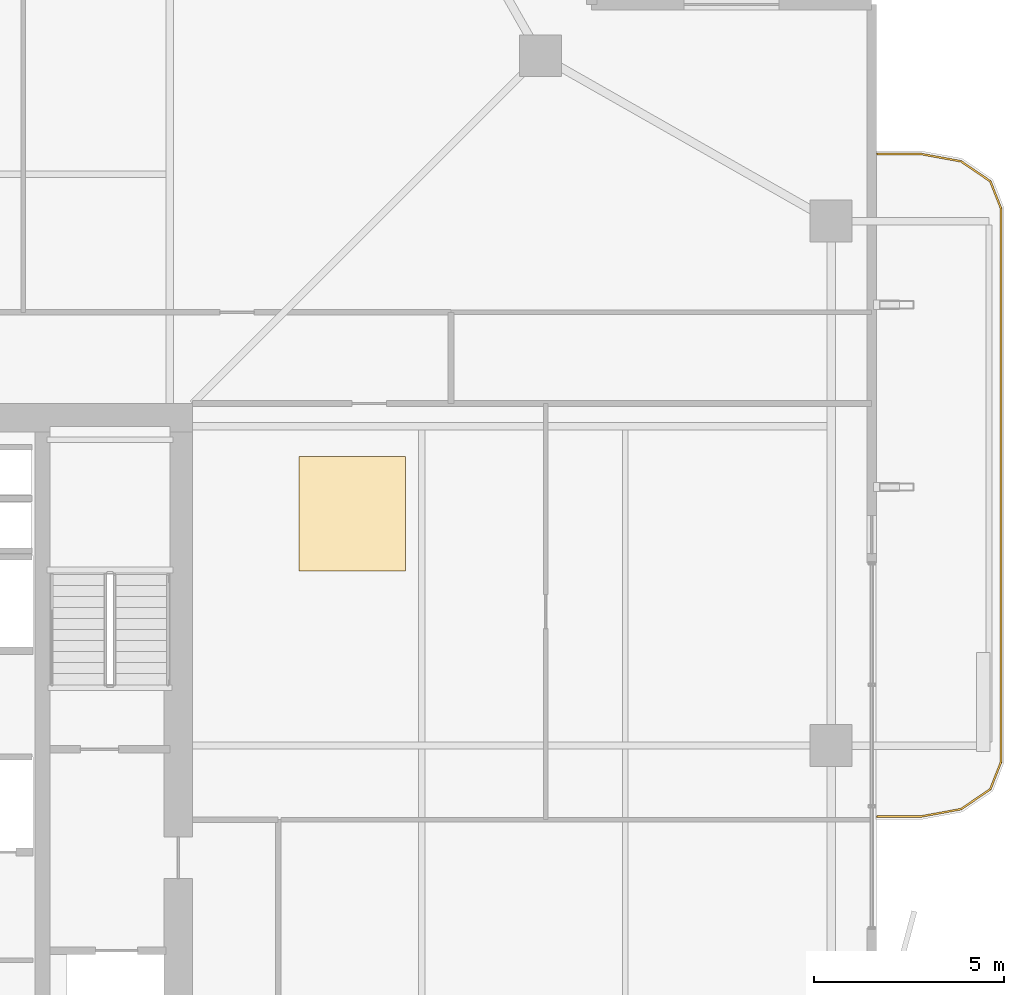
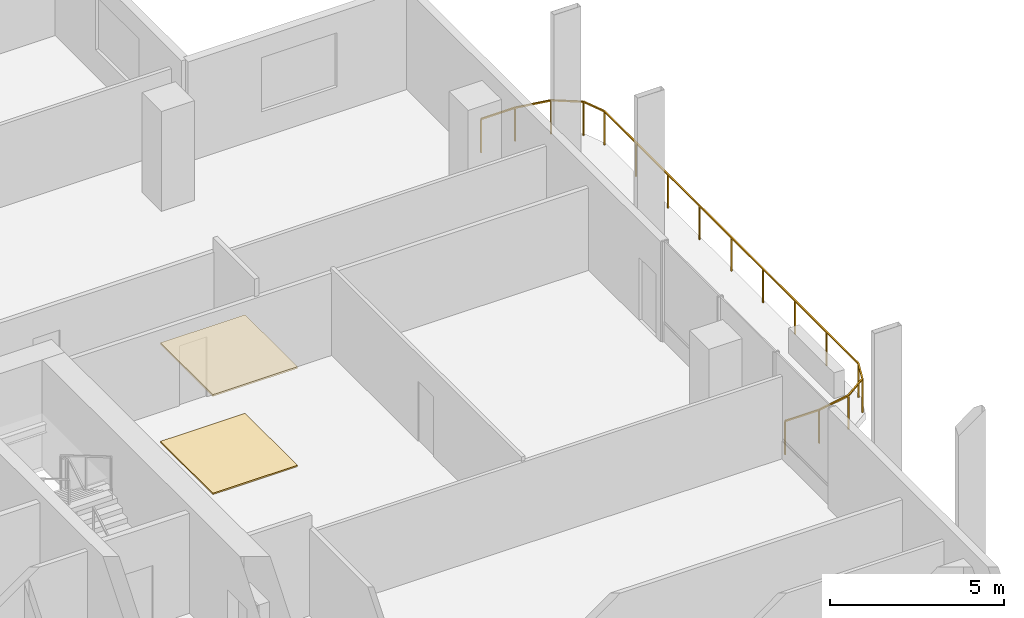
# One storey, part 24 of 24: 2 coverings, 1 railing.
"""IFC4 building model written with IfcOpenShell, lengths in metres."""

import ifcopenshell
import ifcopenshell.guid

model = None  # the IFC model being written
_history = None  # IfcOwnerHistory: only IFC2X3 demands one
_inside = {}  # id of a spatial element -> (the spatial element, [elements in it])
_under = {}  # id of a project, library or spatial element -> (it, [spatial elements below it])
_declared = {}  # id of a project -> (the project, [libraries it declares])
_typed = {}  # id of a type object -> (the type object, [elements of that type])
_made_of = {}  # id of a material, layer set ... -> (it, [elements and type objects made of it])


def new_model(schema):
    """Start an empty IFC model of exactly this schema.

    Asked for "IFC4X3", IfcOpenShell would pick the latest addendum, in which some entities
    have other attributes; the version numbers below select the first issue.
    IFC2X3 requires an IfcOwnerHistory on every rooted entity: one is made here for all.
    """
    global model, _history
    if schema == "IFC4X3":
        model = ifcopenshell.file(schema_version=(4, 3, 0, 0))
    else:
        model = ifcopenshell.file(schema=schema)
    _inside.clear()
    _under.clear()
    _declared.clear()
    _typed.clear()
    _made_of.clear()
    _history = None
    if model.schema == "IFC2X3":
        org = make("IfcOrganization", Name="unknown")
        user = make(
            "IfcPersonAndOrganization",
            ThePerson=make("IfcPerson", FamilyName="unknown"),
            TheOrganization=org,
        )
        app = make(
            "IfcApplication",
            ApplicationDeveloper=org,
            Version="unknown",
            ApplicationFullName="unknown",
            ApplicationIdentifier="unknown",
        )
        _history = make(
            "IfcOwnerHistory",
            OwningUser=user,
            OwningApplication=app,
            ChangeAction="ADDED",
            CreationDate=0,
        )
    return model


def make(cls, **values):
    """One entity of the class cls with the attributes given. An attribute that is None is left unset."""
    return model.create_entity(
        cls, **{name: value for name, value in values.items() if value is not None}
    )


def rooted(cls, **values):
    """An entity with a GlobalId (a new one), such as an element, a storey or a relation."""
    return make(cls, GlobalId=ifcopenshell.guid.new(), OwnerHistory=_history, **values)


def si_unit(unit_type, name, prefix=None):
    """IfcSIUnit, for example si_unit("LENGTHUNIT", "METRE", prefix="MILLI")."""
    return make("IfcSIUnit", UnitType=unit_type, Prefix=prefix, Name=name)


def assignment(units):
    """IfcUnitAssignment: the units of a project."""
    return None if units is None else make("IfcUnitAssignment", Units=units)


def point(xyz):
    """IfcCartesianPoint."""
    return None if xyz is None else make("IfcCartesianPoint", Coordinates=xyz)


def direction(xyz):
    """IfcDirection."""
    return None if xyz is None else make("IfcDirection", DirectionRatios=xyz)


def frame(location, z_axis=None, x_axis=None):
    """IfcAxis2Placement3D, a coordinate frame: its origin and axes. An axis left out is left unset."""
    return make(
        "IfcAxis2Placement3D",
        Location=point(location),
        Axis=direction(z_axis),
        RefDirection=direction(x_axis),
    )


def frame_2d(location, x_axis=None):
    """IfcAxis2Placement2D, a coordinate frame in the plane: its origin and x axis."""
    return make(
        "IfcAxis2Placement2D", Location=point(location), RefDirection=direction(x_axis)
    )


def origin():
    """The frame at (0, 0, 0) with its axes left unset."""
    return frame((0.0, 0.0, 0.0))


def origin_2d():
    """The frame at (0, 0) in the plane with its x axis left unset."""
    return frame_2d((0.0, 0.0))


def place(relative_to, where):
    """IfcLocalPlacement: puts the frame where relative to a parent placement (None: the world)."""
    return make(
        "IfcLocalPlacement", PlacementRelTo=relative_to, RelativePlacement=where
    )


def context(
    kind, dimensions, precision=None, world=None, true_north=None, identifier=None
):
    """IfcGeometricRepresentationContext, for example the 3D "Model" context."""
    return make(
        "IfcGeometricRepresentationContext",
        ContextIdentifier=identifier,
        ContextType=kind,
        CoordinateSpaceDimension=dimensions,
        Precision=precision,
        WorldCoordinateSystem=world,
        TrueNorth=true_north,
    )


def subcontext(parent, identifier, kind, view, scale=None):
    """IfcGeometricRepresentationSubContext, for example "Body" below "Model"."""
    return make(
        "IfcGeometricRepresentationSubContext",
        ContextIdentifier=identifier,
        ContextType=kind,
        ParentContext=parent,
        TargetScale=scale,
        TargetView=view,
    )


def project(units=None, contexts=None):
    """IfcProject with its units and contexts."""
    return rooted(
        "IfcProject",
        Name="project",
        RepresentationContexts=contexts,
        UnitsInContext=assignment(units),
    )


def spatial(cls, under=None, at=None, **own):
    """A site, building, storey or space (cls), placed at a placement, below another one or the project."""
    s = rooted(cls, ObjectPlacement=at, **own)
    if under is not None:
        _under.setdefault(under.id(), (under, []))[1].append(s)
    return s


def polyline(points):
    """IfcPolyline through the points."""
    return make("IfcPolyline", Points=[point(p) for p in points])


def profile(cls, at=None, kind="AREA", **sizes):
    """A parametric profile (cls). Its sizes go by their IFC names, for example OverallWidth=200.0."""
    return make(cls, ProfileType=kind, Position=at, **sizes)


def rectangle(**sizes):
    """IfcRectangleProfileDef."""
    return profile("IfcRectangleProfileDef", **sizes)


def outline(outer, holes=None, kind="AREA"):
    """IfcArbitraryClosedProfileDef: a profile drawn as a closed curve; with holes, ...WithVoids."""
    if holes is None:
        return make("IfcArbitraryClosedProfileDef", ProfileType=kind, OuterCurve=outer)
    return make(
        "IfcArbitraryProfileDefWithVoids",
        ProfileType=kind,
        OuterCurve=outer,
        InnerCurves=holes,
    )


def extrude(swept, where, along, depth):
    """IfcExtrudedAreaSolid: the profile swept, set in the frame where, extruded along a direction by depth."""
    return make(
        "IfcExtrudedAreaSolid",
        SweptArea=swept,
        Position=where,
        ExtrudedDirection=direction(along),
        Depth=depth,
    )


def shape(context_of_items, identifier, shape_type, items):
    """IfcShapeRepresentation: the items that make up one representation, for example the "Body"."""
    return make(
        "IfcShapeRepresentation",
        ContextOfItems=context_of_items,
        RepresentationIdentifier=identifier,
        RepresentationType=shape_type,
        Items=items,
    )


def material(Name=None, Category=None):
    """IfcMaterial."""
    return make("IfcMaterial", Name=Name, Category=Category)


def layer(
    of_material, thickness, ventilated=None, Name=None, Category=None, Priority=None
):
    """IfcMaterialLayer: one layer of a wall or slab, of a material (None: an air gap)."""
    return make(
        "IfcMaterialLayer",
        Material=of_material,
        LayerThickness=thickness,
        IsVentilated=ventilated,
        Name=Name,
        Category=Category,
        Priority=Priority,
    )


def layer_set(layers, Name=None):
    """IfcMaterialLayerSet."""
    return make("IfcMaterialLayerSet", MaterialLayers=layers, LayerSetName=Name)


def made_of(thing, what):
    """Note that an element or type object is made of a material, layer set ...; save() writes the relation."""
    if what is not None:
        _made_of.setdefault(what.id(), (what, []))[1].append(thing)
    return thing


def type_object(cls, material=None, **own):
    """A type object (cls), such as IfcWallType, which elements share."""
    return made_of(rooted(cls, **own), material)


def element(
    cls,
    number,
    at=None,
    inside=None,
    cuts=None,
    type_object=None,
    material=None,
    context=None,
    identifier="Body",
    shape_type=None,
    held_by="IfcProductDefinitionShape",
    body=None,
    shapes=None,
    **own,
):
    """One element of the class cls, such as IfcWall. Its Tag is "e" and its number.

    at: its placement. inside: the storey or other place that contains it. cuts: it is an
    opening in that element (IfcRelVoidsElement). A single representation is given by context,
    identifier, shape_type and body (its items); several are given by shapes. held_by: the class
    of the entity that holds the representations. save() writes the other relations.
    """
    e = rooted(cls, Tag="e%d" % number, ObjectPlacement=at, **own)
    if body is not None:
        shapes = [shape(context, identifier, shape_type, body)]
    if shapes is not None:
        e.Representation = make(held_by, Representations=shapes)
    if inside is not None:
        _inside.setdefault(inside.id(), (inside, []))[1].append(e)
    if cuts is not None:
        rooted(
            "IfcRelVoidsElement", RelatingBuildingElement=cuts, RelatedOpeningElement=e
        )
    if type_object is not None:
        _typed.setdefault(type_object.id(), (type_object, []))[1].append(e)
    return made_of(e, material)


def aggregate(whole, parts):
    """IfcRelAggregates: a whole, such as a stair, and the parts it consists of."""
    return rooted("IfcRelAggregates", RelatingObject=whole, RelatedObjects=parts)


def save(model, path):
    """Write the relations noted so far, then the file.

    IfcRelAggregates (storeys below a building ...), IfcRelContainedInSpatialStructure (elements
    in a storey), IfcRelDefinesByType, IfcRelAssociatesMaterial and IfcRelDeclares: one each for
    every whole, place, type object, material and project.
    """
    for whole, parts in _under.values():
        aggregate(whole, parts)
    for where, things in _inside.values():
        rooted(
            "IfcRelContainedInSpatialStructure",
            RelatedElements=things,
            RelatingStructure=where,
        )
    for kind, things in _typed.values():
        rooted("IfcRelDefinesByType", RelatedObjects=things, RelatingType=kind)
    for what, things in _made_of.values():
        rooted("IfcRelAssociatesMaterial", RelatedObjects=things, RelatingMaterial=what)
    for by, libraries in _declared.values():
        rooted("IfcRelDeclares", RelatingContext=by, RelatedDefinitions=libraries)
    model.write(path)


model = new_model("IFC4")

# Units and contexts
model_context = context("Model", 3, precision=1e-05, world=origin(), true_north=direction((0.0, 1.0)))
body_context = subcontext(model_context, "Body", "Model", "MODEL_VIEW")
ifc_project = project(units=[si_unit("LENGTHUNIT", "METRE"), si_unit("AREAUNIT", "SQUARE_METRE"), si_unit("VOLUMEUNIT", "CUBIC_METRE"), si_unit("PLANEANGLEUNIT", "RADIAN"), si_unit("MASSUNIT", "GRAM", prefix="KILO")], contexts=[model_context])

# Site, building, storey
site_placement = place(None, origin())
site = spatial("IfcSite", under=ifc_project, at=site_placement, CompositionType="ELEMENT")
building_placement = place(site_placement, origin())
building = spatial("IfcBuilding", under=site, at=building_placement, Name="Belovzor Exchange Tower", CompositionType="ELEMENT")
storey_placement = place(building_placement, frame((0.0, 0.0, 203.699951171875)))
storey = spatial("IfcBuildingStorey", under=building, at=storey_placement, Name="L50", CompositionType="ELEMENT", Elevation=203.699951171875)

# Railing
ifc_material_1 = material(Name="Stainless Steel and Laminated Safety Glass", Category="steel")
railing_type = type_object("IfcRailingType", Name="Laminated Glass & Stainless Steel Balcony Balustrade 1200", PredefinedType="BALUSTRADE", material=ifc_material_1)
railing_placement = place(storey_placement, frame((55.81005859375, 26.929931640625, 0.0)))
element("IfcRailing", 1, at=railing_placement, inside=storey, type_object=railing_type, Name="GR-1 Balcony Balustrade L50 East", PredefinedType="BALUSTRADE", context=body_context, shape_type="SweptSolid", body=[
    extrude(rectangle(XDim=0.048095703125, YDim=0.048095703125, at=origin_2d()), frame((0.0, 0.0, 1.17578125), z_axis=(1.0, 0.0, 0.0), x_axis=(0.0, 1.0, 0.0)), (0.0, 0.0, 1.0), 1.133056640625),
    extrude(rectangle(XDim=0.048095703125, YDim=0.048095703125, at=origin_2d()), frame((1.133056640625, 0.0, 1.17578125), z_axis=(0.983644145941, 0.180122719713, 0.0), x_axis=(-0.180122719713, 0.983644145941, 0.0)), (0.0, 0.0, 1.0), 1.09375),
    extrude(rectangle(XDim=0.048095703125, YDim=0.048095703125, at=origin_2d()), frame((2.208984375, 0.197021484375, 1.17578125), z_axis=(0.826493025367, 0.56294695933, 0.0), x_axis=(-0.56294695933, 0.826493025367, 0.0)), (0.0, 0.0, 1.0), 0.932861328125),
    extrude(rectangle(XDim=0.048095703125, YDim=0.048095703125, at=origin_2d()), frame((2.97998046875, 0.72216796875, 1.17578125), z_axis=(0.365612923861, 0.930766990125, 0.0), x_axis=(-0.930766990125, 0.365612923861, 0.0)), (0.0, 0.0, 1.0), 0.765869140625),
    extrude(rectangle(XDim=0.048095703125, YDim=0.048095703125, at=origin_2d()), frame((3.260009765625, 1.43505859375, 1.17578125), z_axis=(0.0, 1.0, 0.0), x_axis=(-1.0, 0.0, 0.0)), (0.0, 0.0, 1.0), 14.570068359375),
    extrude(rectangle(XDim=0.048095703125, YDim=0.048095703125, at=origin_2d()), frame((3.260009765625, 16.005126953125, 1.17578125), z_axis=(-0.365612923861, 0.930766990125, 0.0), x_axis=(-0.930766990125, -0.365612923861, 0.0)), (0.0, 0.0, 1.0), 0.765869140625),
    extrude(rectangle(XDim=0.048095703125, YDim=0.048095703125, at=origin_2d()), frame((2.97998046875, 16.718017578125, 1.17578125), z_axis=(-0.826493025367, 0.56294695933, 0.0), x_axis=(-0.56294695933, -0.826493025367, 0.0)), (0.0, 0.0, 1.0), 0.932861328125),
    extrude(rectangle(XDim=0.048095703125, YDim=0.048095703125, at=origin_2d()), frame((2.208984375, 17.2431640625, 1.17578125), z_axis=(-0.983644145941, 0.180122719713, 0.0), x_axis=(-0.180122719713, -0.983644145941, 0.0)), (0.0, 0.0, 1.0), 1.09375),
    extrude(rectangle(XDim=0.048095703125, YDim=0.048095703125, at=origin_2d()), frame((1.133056640625, 17.440185546875, 1.17578125), z_axis=(-1.0, 0.0, 0.0), x_axis=(0.0, -1.0, 0.0)), (0.0, 0.0, 1.0), 1.133056640625),
    extrude(rectangle(XDim=0.0419921875, YDim=0.0419921875, at=origin_2d()), origin(), (0.0, 0.0, 1.0), 1.15185546875),
    extrude(rectangle(XDim=0.0419921875, YDim=0.0419921875, at=origin_2d()), frame((1.133056640625, 0.0, 0.0)), (0.0, 0.0, 1.0), 1.15185546875),
    extrude(rectangle(XDim=0.0419921875, YDim=0.0419921875, at=origin_2d()), frame((2.208984375, 0.197021484375, 0.0)), (0.0, 0.0, 1.0), 1.15185546875),
    extrude(rectangle(XDim=0.0419921875, YDim=0.0419921875, at=origin_2d()), frame((2.97998046875, 0.72216796875, 0.0)), (0.0, 0.0, 1.0), 1.15185546875),
    extrude(rectangle(XDim=0.0419921875, YDim=0.0419921875, at=origin_2d()), frame((3.260009765625, 1.43505859375, 0.0)), (0.0, 0.0, 1.0), 1.15185546875),
    extrude(rectangle(XDim=0.0419921875, YDim=0.0419921875, at=origin_2d()), frame((3.260009765625, 3.25634765625, 0.0)), (0.0, 0.0, 1.0), 1.15185546875),
    extrude(rectangle(XDim=0.0419921875, YDim=0.0419921875, at=origin_2d()), frame((3.260009765625, 5.07763671875, 0.0)), (0.0, 0.0, 1.0), 1.15185546875),
    extrude(rectangle(XDim=0.0419921875, YDim=0.0419921875, at=origin_2d()), frame((3.260009765625, 6.89892578125, 0.0)), (0.0, 0.0, 1.0), 1.15185546875),
    extrude(rectangle(XDim=0.0419921875, YDim=0.0419921875, at=origin_2d()), frame((3.260009765625, 8.72021484375, 0.0)), (0.0, 0.0, 1.0), 1.15185546875),
    extrude(rectangle(XDim=0.0419921875, YDim=0.0419921875, at=origin_2d()), frame((3.260009765625, 10.541259765625, 0.0)), (0.0, 0.0, 1.0), 1.15185546875),
    extrude(rectangle(XDim=0.0419921875, YDim=0.0419921875, at=origin_2d()), frame((3.260009765625, 12.362548828125, 0.0)), (0.0, 0.0, 1.0), 1.15185546875),
    extrude(rectangle(XDim=0.0419921875, YDim=0.0419921875, at=origin_2d()), frame((3.260009765625, 14.183837890625, 0.0)), (0.0, 0.0, 1.0), 1.15185546875),
    extrude(rectangle(XDim=0.0419921875, YDim=0.0419921875, at=origin_2d()), frame((3.260009765625, 16.005126953125, 0.0)), (0.0, 0.0, 1.0), 1.15185546875),
    extrude(rectangle(XDim=0.0419921875, YDim=0.0419921875, at=origin_2d()), frame((2.97998046875, 16.718017578125, 0.0)), (0.0, 0.0, 1.0), 1.15185546875),
    extrude(rectangle(XDim=0.0419921875, YDim=0.0419921875, at=origin_2d()), frame((2.208984375, 17.2431640625, 0.0)), (0.0, 0.0, 1.0), 1.15185546875),
    extrude(rectangle(XDim=0.0419921875, YDim=0.0419921875, at=origin_2d()), frame((1.133056640625, 17.440185546875, 0.0)), (0.0, 0.0, 1.0), 1.15185546875),
    extrude(rectangle(XDim=0.0419921875, YDim=0.0419921875, at=origin_2d()), frame((0.0, 17.440185546875, 0.0)), (0.0, 0.0, 1.0), 1.15185546875),
])

# Coverings
ifc_material_2 = material(Name="Perforated Powder-Coated Aluminium", Category="aluminium")
ifc_layer_1 = layer(ifc_material_2, 0.06005859375)
ifc_layer_set_1 = layer_set([ifc_layer_1], Name="Perforated Powder-Coated Aluminium")
covering_type_1 = type_object("IfcCoveringType", Name="Perforated Acoustic Metal Tile Suspended Ceiling 60", PredefinedType="CEILING", material=ifc_layer_set_1)
covering_1_placement = place(storey_placement, frame((0.0, 0.0, 3.43994140625)))
element("IfcCovering", 2, at=covering_1_placement, inside=storey, type_object=covering_type_1, Name="CLG-AC60 Suspended Ceiling CLG-L50-Z2", PredefinedType="CEILING", context=body_context, shape_type="SweptSolid", body=[
    extrude(outline(polyline([(40.60009765625, 33.39990234375), (43.39990234375, 33.39990234375), (43.39990234375, 36.39990234375), (40.60009765625, 36.39990234375), (40.60009765625, 33.39990234375)])), origin(), (0.0, 0.0, 1.0), 0.06005859375),
])
ifc_material_3 = material(Name="Polished Natural Granite Tile", Category="masonry")
ifc_layer_2 = layer(ifc_material_3, 0.050048828125)
ifc_layer_set_2 = layer_set([ifc_layer_2], Name="Polished Natural Granite Tile")
covering_type_2 = type_object("IfcCoveringType", Name="Polished Karelian Granite & Raised Access Floor Finish 50", PredefinedType="FLOORING", material=ifc_layer_set_2)
covering_2_placement = place(storey_placement, origin())
element("IfcCovering", 3, at=covering_2_placement, inside=storey, type_object=covering_type_2, Name="FLR-GR50 Floor Finish FLR-L50-Z2", PredefinedType="FLOORING", context=body_context, shape_type="SweptSolid", body=[
    extrude(outline(polyline([(40.60009765625, 33.39990234375), (43.39990234375, 33.39990234375), (43.39990234375, 36.39990234375), (40.60009765625, 36.39990234375), (40.60009765625, 33.39990234375)])), origin(), (0.0, 0.0, 1.0), 0.050048828125),
])

save(model, "model.ifc")
